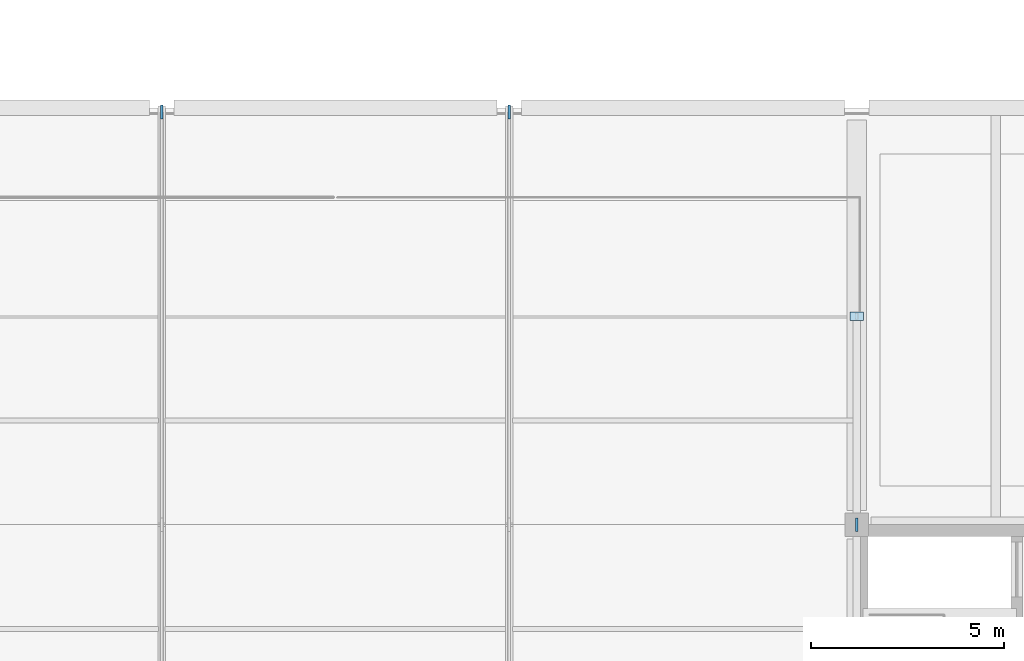
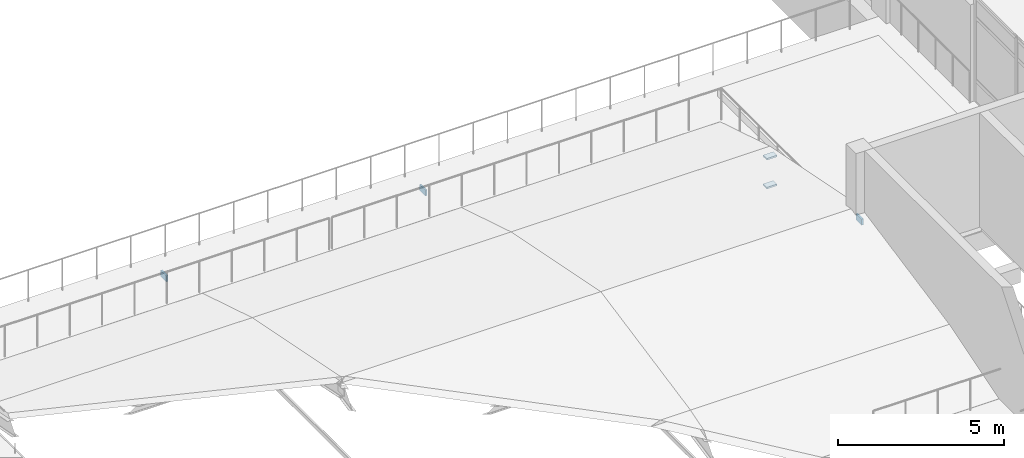
# One storey, part 130 of 158: 5 plates.
"""IFC4 building model written with IfcOpenShell, lengths in metres."""

from ifc_helpers import new_model, si_unit, direction, frame, origin, origin_2d, place, context, subcontext, project, spatial, rectangle, extrude, material, layer, layer_set, type_object, element, save


model = new_model("IFC4")

# Units and contexts
model_context = context("Model", 3, precision=1e-05, world=origin(), true_north=direction((0.0, 1.0)))
body_context = subcontext(model_context, "Body", "Model", "MODEL_VIEW")
ifc_project = project(units=[si_unit("LENGTHUNIT", "METRE"), si_unit("AREAUNIT", "SQUARE_METRE"), si_unit("VOLUMEUNIT", "CUBIC_METRE"), si_unit("PLANEANGLEUNIT", "RADIAN"), si_unit("MASSUNIT", "GRAM", prefix="KILO")], contexts=[model_context])

# Site, building, storey
site_placement = place(None, origin())
site = spatial("IfcSite", under=ifc_project, at=site_placement, CompositionType="ELEMENT")
building_placement = place(site_placement, origin())
building = spatial("IfcBuilding", under=site, at=building_placement, Name="Lusvemor Sports Hall", CompositionType="ELEMENT")
storey_placement = place(building_placement, frame((0.0, 0.0, 10.800048828125)))
storey = spatial("IfcBuildingStorey", under=building, at=storey_placement, Name="L02", CompositionType="ELEMENT", Elevation=10.800048828125)

# Plates
ifc_material = material(Name="Steel S355", Category="steel")
ifc_layer = layer(ifc_material, 0.06005859375)
ifc_layer_set = layer_set([ifc_layer], Name="Steel S355")
plate_type = type_object("IfcPlateType", Name="GUSSET_TIE_F", PredefinedType="USERDEFINED", material=ifc_layer_set)
for number, where, z_axis, x_axis, name in (
    (1, (93.60009765625, 28.68994140625, -0.85986328125), (0.0, 0.0, 1.0), (1.0, 0.0, 0.0), "Foyer Portal Knee Gusset 10-N"),
    (2, (102.60009765625, 28.68994140625, -0.85986328125), (0.0, 0.0, 1.0), (1.0, 0.0, 0.0), "Foyer Portal Knee Gusset 11-N"),
):
    element("IfcPlate", number, at=place(storey_placement, frame(where, z_axis=z_axis, x_axis=x_axis)), inside=storey, type_object=plate_type, Name=name, ObjectType="GUSSET_PLATE", PredefinedType="USERDEFINED", context=body_context, shape_type="SweptSolid", body=[
        extrude(rectangle(XDim=0.06005859375, YDim=0.35009765625, at=origin_2d()), origin(), (0.0, 0.0, 1.0), 0.219970703125),
    ])
for number, where, z_axis, x_axis, name in (
    (3, (111.60009765625, 23.39990234375, -0.530029296875), (0.0, 0.0, 1.0), (1.0, 0.0, 0.0), "Lantern Portal Strut Gusset 12-N-B"),
    (4, (111.60009765625, 23.39990234375, 0.530029296875), (0.0, 0.0, 1.0), (1.0, 0.0, 0.0), "Lantern Portal Strut Gusset 12-N-T"),
):
    element("IfcPlate", number, at=place(storey_placement, frame(where, z_axis=z_axis, x_axis=x_axis)), inside=storey, type_object=plate_type, Name=name, ObjectType="GUSSET_PLATE", PredefinedType="USERDEFINED", context=body_context, shape_type="SweptSolid", body=[
        extrude(rectangle(XDim=0.35009765625, YDim=0.219970703125, at=origin_2d()), origin(), (0.0, 0.0, 1.0), 0.06005859375),
    ])
plate_placement = place(storey_placement, frame((111.60009765625, 18.0, 1.39990234375), z_axis=(0.0, 0.0, 1.0), x_axis=(1.0, 0.0, 0.0)))
element("IfcPlate", 5, at=plate_placement, inside=storey, type_object=plate_type, Name="Foyer Portal Ridge Gusset 12", ObjectType="GUSSET_PLATE", PredefinedType="USERDEFINED", context=body_context, shape_type="SweptSolid", body=[
    extrude(rectangle(XDim=0.06005859375, YDim=0.35009765625, at=origin_2d()), origin(), (0.0, 0.0, 1.0), 0.219970703125),
])

save(model, "model.ifc")
